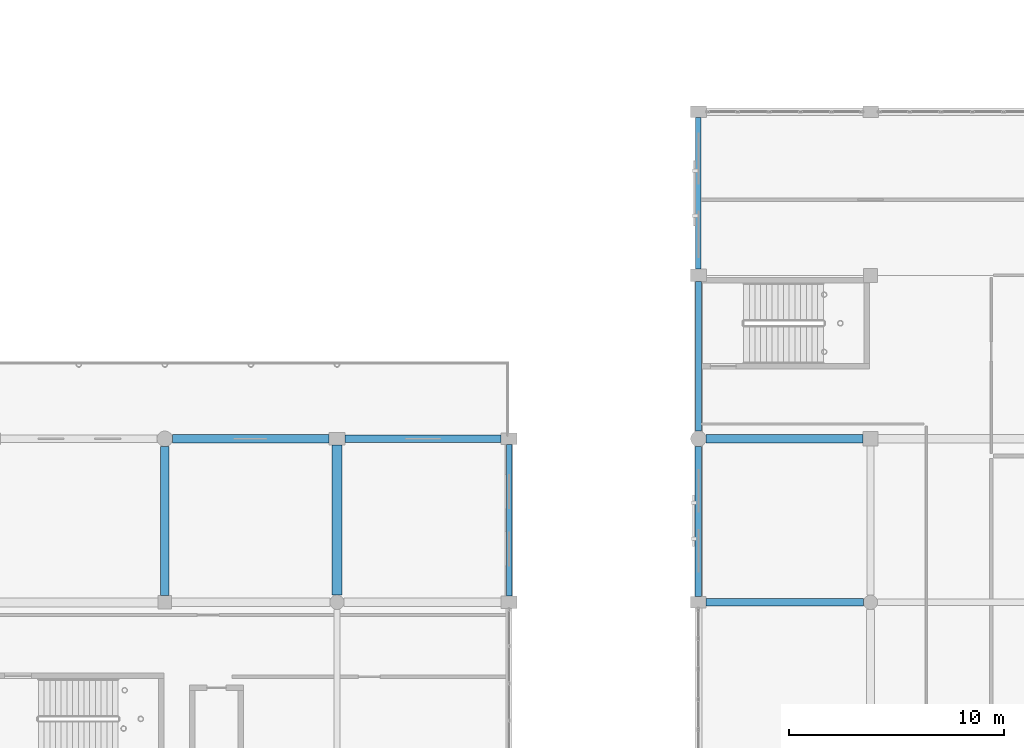
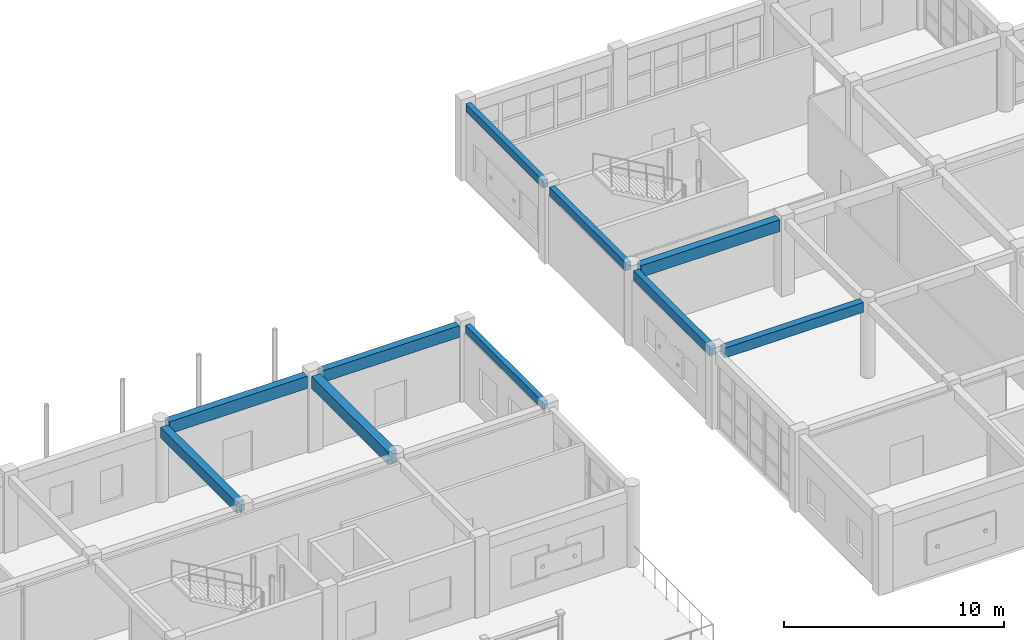
# One storey, part 60 of 160: 10 beams.
"""IFC4 building model written with IfcOpenShell, lengths in metres."""

from ifc_helpers import new_model, si_unit, direction, frame, origin, origin_2d, place, context, subcontext, project, spatial, rectangle, extrude, material, material_profile, profile_set, type_object, element, save


model = new_model("IFC4")

# Units and contexts
model_context = context("Model", 3, precision=1e-05, world=origin(), true_north=direction((0.0, 1.0)))
body_context = subcontext(model_context, "Body", "Model", "MODEL_VIEW")
ifc_project = project(units=[si_unit("LENGTHUNIT", "METRE"), si_unit("AREAUNIT", "SQUARE_METRE"), si_unit("VOLUMEUNIT", "CUBIC_METRE"), si_unit("PLANEANGLEUNIT", "RADIAN"), si_unit("MASSUNIT", "GRAM", prefix="KILO")], contexts=[model_context])

# Site, building, storey
site_placement = place(None, origin())
site = spatial("IfcSite", under=ifc_project, at=site_placement, CompositionType="ELEMENT")
building_placement = place(site_placement, origin())
building = spatial("IfcBuilding", under=site, at=building_placement, Name="Kharva Crest Polytechnic", CompositionType="ELEMENT")
storey_placement = place(building_placement, frame((0.0, 0.0, 4.5)))
storey = spatial("IfcBuildingStorey", under=building, at=storey_placement, Name="L01", CompositionType="ELEMENT", Elevation=4.5)

# Beams
ifc_material = material(Name="Concrete C35/45", Category="concrete")
ifc_material_profile_1 = material_profile(ifc_material, rectangle(XDim=0.35009765625, YDim=0.550048828125, at=origin_2d()), Name="RECT 350 X 550")
ifc_profile_set_1 = profile_set([ifc_material_profile_1], Name="Concrete C35/45")
beam_type_1 = type_object("IfcBeamType", Name="BM-RC-350X550", PredefinedType="BEAM", material=ifc_profile_set_1)
beam_1_placement = place(storey_placement, frame((121.159912109375, 15.199951171875, 3.945068359375), z_axis=(1.0, 0.0, 0.0), x_axis=(0.0, 1.0, 0.0)))
element("IfcBeam", 1, at=beam_1_placement, inside=storey, type_object=beam_type_1, Name="L01 Beam C/16J-17", PredefinedType="BEAM", context=body_context, shape_type="SweptSolid", body=[
    extrude(rectangle(XDim=0.35009765625, YDim=0.550048828125, at=origin_2d()), origin(), (0.0, 0.0, 1.0), 7.31005859375),
])
ifc_material_profile_2 = material_profile(ifc_material, rectangle(XDim=0.39990234375, YDim=0.580078125, at=origin_2d()), Name="RECT 400 X 580")
ifc_profile_set_2 = profile_set([ifc_material_profile_2], Name="Concrete C35/45")
beam_type_2 = type_object("IfcBeamType", Name="BM-RC-400X580", PredefinedType="BEAM", material=ifc_profile_set_2)
beam_2_placement = place(storey_placement, frame((96.0, 15.510009765625, 3.929931640625), z_axis=(0.0, 1.0, 0.0), x_axis=(-1.0, 0.0, 0.0)))
element("IfcBeam", 2, at=beam_2_placement, inside=storey, type_object=beam_type_2, Name="L01 Girder 13/C-D", PredefinedType="BEAM", context=body_context, shape_type="SweptSolid", body=[
    extrude(rectangle(XDim=0.39990234375, YDim=0.580078125, at=origin_2d()), origin(), (0.0, 0.0, 1.0), 6.929931640625),
])
ifc_material_profile_3 = material_profile(ifc_material, rectangle(XDim=0.39990234375, YDim=0.64990234375, at=origin_2d()), Name="RECT 400 X 650")
ifc_profile_set_3 = profile_set([ifc_material_profile_3], Name="Concrete C35/45")
beam_type_3 = type_object("IfcBeamType", Name="BM-RC-400X650", PredefinedType="BEAM", material=ifc_profile_set_3)
beam_3_placement = place(storey_placement, frame((121.159912109375, 22.800048828125, 3.89501953125), z_axis=(1.0, 0.0, 0.0), x_axis=(0.0, 1.0, 0.0)))
element("IfcBeam", 3, at=beam_3_placement, inside=storey, type_object=beam_type_3, Name="L01 Beam D/16J-17", PredefinedType="BEAM", context=body_context, shape_type="SweptSolid", body=[
    extrude(rectangle(XDim=0.39990234375, YDim=0.64990234375, at=origin_2d()), origin(), (0.0, 0.0, 1.0), 7.300048828125),
])
ifc_material_profile_4 = material_profile(ifc_material, rectangle(XDim=0.449951171875, YDim=0.679931640625, at=origin_2d()), Name="RECT 450 X 680")
ifc_profile_set_4 = profile_set([ifc_material_profile_4], Name="Concrete C35/45")
beam_type_4 = type_object("IfcBeamType", Name="BM-RC-450X680", PredefinedType="BEAM", material=ifc_profile_set_4)
beam_4_placement = place(storey_placement, frame((104.0, 15.530029296875, 3.8798828125), z_axis=(0.0, 1.0, 0.0), x_axis=(-1.0, 0.0, 0.0)))
element("IfcBeam", 4, at=beam_4_placement, inside=storey, type_object=beam_type_4, Name="L01 Girder 14/C-D", PredefinedType="BEAM", context=body_context, shape_type="SweptSolid", body=[
    extrude(rectangle(XDim=0.449951171875, YDim=0.679931640625, at=origin_2d()), origin(), (0.0, 0.0, 1.0), 6.969970703125),
])
ifc_material_profile_5 = material_profile(ifc_material, rectangle(XDim=0.260009765625, YDim=0.43994140625, at=origin_2d()), Name="RECT 260 X 440")
ifc_profile_set_5 = profile_set([ifc_material_profile_5], Name="Concrete C35/45")
beam_type_5 = type_object("IfcBeamType", Name="SP-RC-260X440", PredefinedType="SPANDREL", material=ifc_profile_set_5)
beam_5_placement = place(storey_placement, frame((112.0, 15.5, 4.0), z_axis=(0.0, 1.0, 0.0), x_axis=(-1.0, 0.0, 0.0)))
element("IfcBeam", 5, at=beam_5_placement, inside=storey, type_object=beam_type_5, Name="L01 Girder 15/C-D", PredefinedType="SPANDREL", context=body_context, shape_type="SweptSolid", body=[
    extrude(rectangle(XDim=0.260009765625, YDim=0.43994140625, at=origin_2d()), origin(), (0.0, 0.0, 1.0), 7.02490234375),
])
beam_6_placement = place(storey_placement, frame((120.800048828125, 30.699951171875, 4.0), z_axis=(0.0, 1.0, 0.0), x_axis=(-1.0, 0.0, 0.0)))
element("IfcBeam", 6, at=beam_6_placement, inside=storey, type_object=beam_type_5, Name="L01 Girder 16J/E-F", PredefinedType="SPANDREL", context=body_context, shape_type="SweptSolid", body=[
    extrude(rectangle(XDim=0.260009765625, YDim=0.43994140625, at=origin_2d()), origin(), (0.0, 0.0, 1.0), 7.025146484375),
])
ifc_material_profile_6 = material_profile(ifc_material, rectangle(XDim=0.280029296875, YDim=0.4599609375, at=origin_2d()), Name="RECT 280 X 460")
ifc_profile_set_6 = profile_set([ifc_material_profile_6], Name="Concrete C35/45")
beam_type_6 = type_object("IfcBeamType", Name="SP-RC-280X460", PredefinedType="SPANDREL", material=ifc_profile_set_6)
beam_7_placement = place(storey_placement, frame((120.800048828125, 23.159912109375, 3.989990234375), z_axis=(0.0, 1.0, 0.0), x_axis=(-1.0, 0.0, 0.0)))
element("IfcBeam", 7, at=beam_7_placement, inside=storey, type_object=beam_type_6, Name="L01 Girder 16J/D-E", PredefinedType="SPANDREL", context=body_context, shape_type="SweptSolid", body=[
    extrude(rectangle(XDim=0.280029296875, YDim=0.4599609375, at=origin_2d()), origin(), (0.0, 0.0, 1.0), 6.940185546875),
])
ifc_material_profile_7 = material_profile(ifc_material, rectangle(XDim=0.300048828125, YDim=0.52001953125, at=origin_2d()), Name="RECT 300 X 520")
ifc_profile_set_7 = profile_set([ifc_material_profile_7], Name="Concrete C35/45")
beam_type_7 = type_object("IfcBeamType", Name="SP-RC-300X520", PredefinedType="SPANDREL", material=ifc_profile_set_7)
beam_8_placement = place(storey_placement, frame((120.800048828125, 15.47509765625, 3.9599609375), z_axis=(0.0, 1.0, 0.0), x_axis=(-1.0, 0.0, 0.0)))
element("IfcBeam", 8, at=beam_8_placement, inside=storey, type_object=beam_type_7, Name="L01 Girder 16J/C-D", PredefinedType="SPANDREL", context=body_context, shape_type="SweptSolid", body=[
    extrude(rectangle(XDim=0.300048828125, YDim=0.52001953125, at=origin_2d()), origin(), (0.0, 0.0, 1.0), 6.96484375),
])
ifc_material_profile_8 = material_profile(ifc_material, rectangle(XDim=0.360107421875, YDim=0.64990234375, at=origin_2d()), Name="RECT 360 X 650")
ifc_profile_set_8 = profile_set([ifc_material_profile_8], Name="Concrete C35/45")
beam_type_8 = type_object("IfcBeamType", Name="SP-RC-360X650", PredefinedType="SPANDREL", material=ifc_profile_set_8)
beam_9_placement = place(storey_placement, frame((104.375, 22.800048828125, 3.89501953125), z_axis=(1.0, 0.0, 0.0), x_axis=(0.0, 1.0, 0.0)))
element("IfcBeam", 9, at=beam_9_placement, inside=storey, type_object=beam_type_8, Name="L01 Beam D/14-15", PredefinedType="SPANDREL", context=body_context, shape_type="SweptSolid", body=[
    extrude(rectangle(XDim=0.360107421875, YDim=0.64990234375, at=origin_2d()), origin(), (0.0, 0.0, 1.0), 7.25),
])
ifc_material_profile_9 = material_profile(ifc_material, rectangle(XDim=0.3798828125, YDim=0.679931640625, at=origin_2d()), Name="RECT 380 X 680")
ifc_profile_set_9 = profile_set([ifc_material_profile_9], Name="Concrete C35/45")
beam_type_9 = type_object("IfcBeamType", Name="SP-RC-380X680", PredefinedType="SPANDREL", material=ifc_profile_set_9)
beam_10_placement = place(storey_placement, frame((96.360107421875, 22.800048828125, 3.8798828125), z_axis=(1.0, 0.0, 0.0), x_axis=(0.0, 1.0, 0.0)))
element("IfcBeam", 10, at=beam_10_placement, inside=storey, type_object=beam_type_9, Name="L01 Beam D/13-14", PredefinedType="SPANDREL", context=body_context, shape_type="SweptSolid", body=[
    extrude(rectangle(XDim=0.3798828125, YDim=0.679931640625, at=origin_2d()), origin(), (0.0, 0.0, 1.0), 7.264892578125),
])

save(model, "model.ifc")
